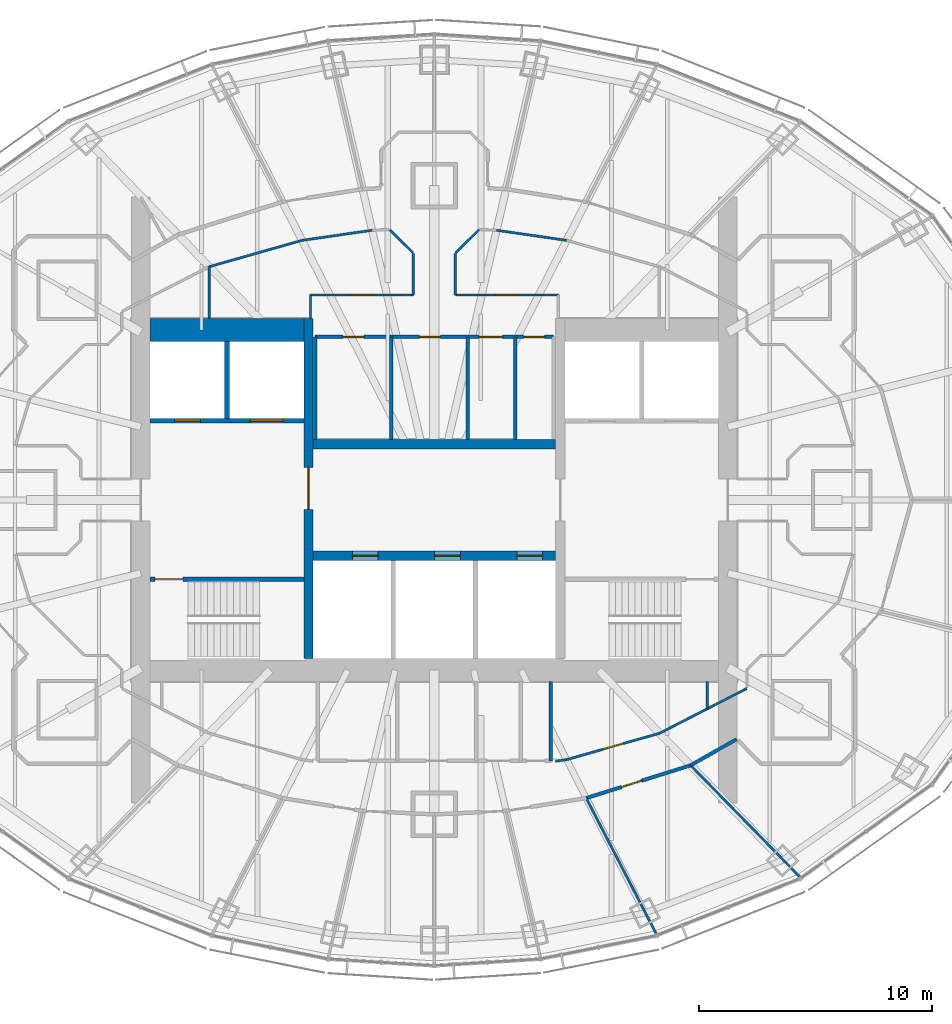
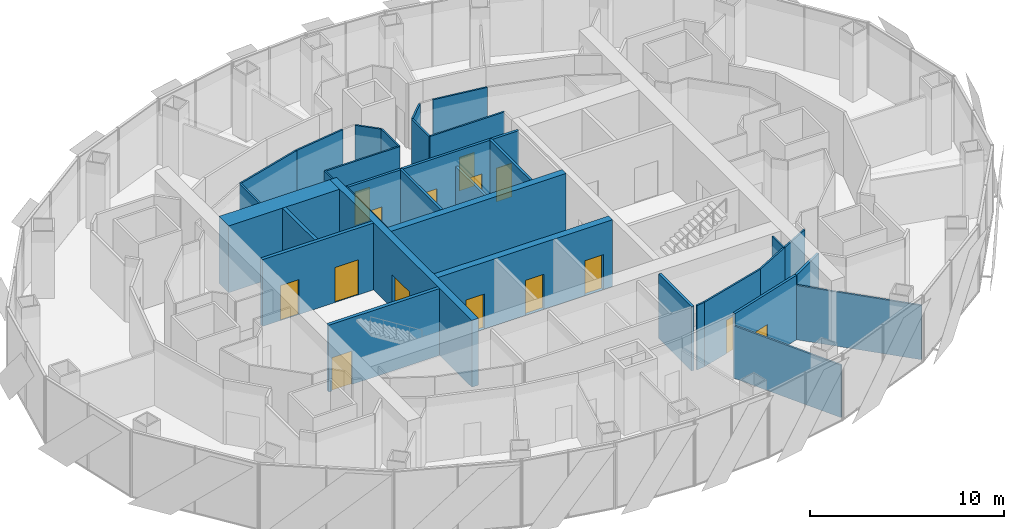
# One storey, part 13 of 18: 33 walls, 15 doors, 15 openings.
"""IFC4 building model written with IfcOpenShell, lengths in metres."""

from ifc_helpers import new_model, si_unit, direction, frame, frame_2d, origin, place, context, subcontext, project, spatial, rectangle, extrude, material, layer, layer_set, type_object, element, fill, save


model = new_model("IFC4")

# Units and contexts
model_context = context("Model", 3, precision=1e-05, world=origin(), true_north=direction((0.0, 1.0)))
body_context = subcontext(model_context, "Body", "Model", "MODEL_VIEW")
ifc_project = project(units=[si_unit("LENGTHUNIT", "METRE"), si_unit("AREAUNIT", "SQUARE_METRE"), si_unit("VOLUMEUNIT", "CUBIC_METRE"), si_unit("PLANEANGLEUNIT", "RADIAN"), si_unit("MASSUNIT", "GRAM", prefix="KILO")], contexts=[model_context])

# Site, building, storey
site_placement = place(None, origin())
site = spatial("IfcSite", under=ifc_project, at=site_placement, CompositionType="ELEMENT")
building_placement = place(site_placement, origin())
building = spatial("IfcBuilding", under=site, at=building_placement, Name="Lantaw Convention Tower", CompositionType="ELEMENT")
storey_placement = place(building_placement, frame((0.0, 0.0, 236.800048828125)))
storey = spatial("IfcBuildingStorey", under=building, at=storey_placement, Name="L55", CompositionType="ELEMENT", Elevation=236.800048828125)

# Wall
ifc_material_1 = material(Name="Concrete C60/75", Category="concrete")
ifc_layer_1 = layer(ifc_material_1, 1.0)
ifc_layer_set_1 = layer_set([ifc_layer_1], Name="Core wall 1000")
wall_type_1 = type_object("IfcWallType", Name="Core wall 1000", PredefinedType="SHEAR", material=ifc_layer_set_1)
wall_1_placement = place(storey_placement, frame((-5.60009765625, 7.300048828125, 0.0), z_axis=(0.0, 0.0, 1.0), x_axis=(-1.0, 0.0, 0.0)))
element("IfcWall", 1, at=wall_1_placement, inside=storey, type_object=wall_type_1, Name="Core wall NW", PredefinedType="SHEAR", context=body_context, shape_type="SweptSolid", body=[
    extrude(rectangle(XDim=6.599853515625, YDim=1.0, at=frame_2d((3.2998046875, 0.0))), origin(), (0.0, 0.0, 1.0), 4.199951171875),
])

# Wall, opening, door
ifc_layer_2 = layer(ifc_material_1, 0.199951171875)
ifc_layer_set_2 = layer_set([ifc_layer_2], Name="Core wall 200")
wall_type_2 = type_object("IfcWallType", Name="Core wall 200", PredefinedType="SHEAR", material=ifc_layer_set_2)
wall_2_placement = place(storey_placement, frame((-5.60009765625, -3.39990234375, 0.0), z_axis=(0.0, 0.0, 1.0), x_axis=(-1.0, 0.0, 0.0)))
wall_2 = element("IfcWall", 2, at=wall_2_placement, inside=storey, type_object=wall_type_2, Name="Core wall WS", PredefinedType="SHEAR", context=body_context, shape_type="SweptSolid", body=[
    extrude(rectangle(XDim=6.599853515625, YDim=0.199951171875, at=frame_2d((3.2998046875, 0.0))), origin(), (0.0, 0.0, 1.0), 4.199951171875),
])
opening_1_placement = place(wall_2_placement, frame((5.199951171875, 0.0, 0.0)))
opening_1 = element("IfcOpeningElement", 3, at=opening_1_placement, cuts=wall_2, Name="Opening L55.04", PredefinedType="OPENING", context=body_context, shape_type="SweptSolid", body=[
    extrude(rectangle(XDim=1.199951171875, YDim=2.10009765625, at=frame_2d((0.60009765625, 1.050048828125))), frame((0.0, 0.10986328125, 0.0), z_axis=(0.0, -1.0, 0.0), x_axis=(1.0, 0.0, 0.0)), (0.0, 0.0, 1.0), 0.219970703125),
])
ifc_material_2 = material(Name="Steel, fire rated", Category="steel")
door_type_1 = type_object("IfcDoorType", Name="Stair door FD90", OperationType="SINGLE_SWING_RIGHT", PredefinedType="DOOR", material=ifc_material_2)
door_1_placement = place(opening_1_placement, origin())
door_1 = element("IfcDoor", 4, at=door_1_placement, inside=storey, type_object=door_type_1, Name="Exit stair door", OperationType="SINGLE_SWING_RIGHT", OverallHeight=2.10009765625, OverallWidth=1.199951171875, PredefinedType="DOOR", context=body_context, shape_type="SweptSolid", body=[
    extrude(rectangle(XDim=1.199951171875, YDim=2.10009765625, at=frame_2d((0.60009765625, 1.050048828125))), frame((0.0, 0.02490234375, 0.0), z_axis=(0.0, -1.0, 0.0), x_axis=(1.0, 0.0, 0.0)), (0.0, 0.0, 1.0), 0.050048828125),
])
fill(opening_1, door_1)

ifc_layer_3 = layer(ifc_material_1, 0.39990234375)
ifc_layer_set_3 = layer_set([ifc_layer_3], Name="Core wall 400")
wall_type_3 = type_object("IfcWallType", Name="Core wall 400", PredefinedType="SHEAR", material=ifc_layer_set_3)
wall_3_placement = place(storey_placement, frame((-5.39990234375, 7.800048828125, 0.0), z_axis=(0.0, 0.0, 1.0), x_axis=(0.0, -1.0, 0.0)))
wall_3 = element("IfcWall", 5, at=wall_3_placement, inside=storey, type_object=wall_type_3, Name="Core wall XW", PredefinedType="SHEAR", context=body_context, shape_type="SweptSolid", body=[
    extrude(rectangle(XDim=14.60009765625, YDim=0.39990234375, at=frame_2d((7.300048828125, 0.0))), origin(), (0.0, 0.0, 1.0), 4.199951171875),
])
opening_2_placement = place(wall_3_placement, frame((6.39990234375, 0.0, 0.0)))
opening_2 = element("IfcOpeningElement", 6, at=opening_2_placement, cuts=wall_3, Name="Opening L55.02", PredefinedType="OPENING", context=body_context, shape_type="SweptSolid", body=[
    extrude(rectangle(XDim=1.800048828125, YDim=2.10009765625, at=frame_2d((0.89990234375, 1.050048828125))), frame((0.0, 0.2099609375, 0.0), z_axis=(0.0, -1.0, 0.0), x_axis=(1.0, 0.0, 0.0)), (0.0, 0.0, 1.0), 0.419921875),
])
door_type_2 = type_object("IfcDoorType", Name="Lobby double door FD90", OperationType="DOUBLE_DOOR_DOUBLE_SWING", PredefinedType="DOOR", material=ifc_material_2)
door_2_placement = place(opening_2_placement, origin())
door_2 = element("IfcDoor", 7, at=door_2_placement, inside=storey, type_object=door_type_2, Name="Lift lobby door", OperationType="DOUBLE_DOOR_DOUBLE_SWING", OverallHeight=2.10009765625, OverallWidth=1.800048828125, PredefinedType="DOOR", context=body_context, shape_type="SweptSolid", body=[
    extrude(rectangle(XDim=1.800048828125, YDim=2.10009765625, at=frame_2d((0.89990234375, 1.050048828125))), frame((0.0, 0.02490234375, 0.0), z_axis=(0.0, -1.0, 0.0), x_axis=(1.0, 0.0, 0.0)), (0.0, 0.0, 1.0), 0.050048828125),
])
fill(opening_2, door_2)

# Wall, openings, doors
wall_4_placement = place(storey_placement, frame((-5.199951171875, -2.39990234375, 0.0), z_axis=(0.0, 0.0, 1.0), x_axis=(1.0, 0.0, 0.0)))
wall_4 = element("IfcWall", 8, at=wall_4_placement, inside=storey, type_object=wall_type_3, Name="Core wall BS", PredefinedType="SHEAR", context=body_context, shape_type="SweptSolid", body=[
    extrude(rectangle(XDim=10.39990234375, YDim=0.39990234375, at=frame_2d((5.199951171875, 0.0))), origin(), (0.0, 0.0, 1.0), 4.199951171875),
])
opening_3_placement = place(wall_4_placement, frame((1.683349609375, 0.0, 0.0)))
opening_3 = element("IfcOpeningElement", 9, at=opening_3_placement, cuts=wall_4, Name="Opening L55.07", PredefinedType="OPENING", context=body_context, shape_type="SweptSolid", body=[
    extrude(rectangle(XDim=1.10009765625, YDim=2.199951171875, at=frame_2d((0.550048828125, 1.10009765625))), frame((0.0, 0.2099609375, 0.0), z_axis=(0.0, -1.0, 0.0), x_axis=(1.0, 0.0, 0.0)), (0.0, 0.0, 1.0), 0.419921875),
])
opening_4_placement = place(wall_4_placement, frame((5.216796875, 0.0, 0.0)))
opening_4 = element("IfcOpeningElement", 10, at=opening_4_placement, cuts=wall_4, Name="Opening L55.08", PredefinedType="OPENING", context=body_context, shape_type="SweptSolid", body=[
    extrude(rectangle(XDim=1.10009765625, YDim=2.199951171875, at=frame_2d((0.550048828125, 1.10009765625))), frame((0.0, 0.2099609375, 0.0), z_axis=(0.0, -1.0, 0.0), x_axis=(1.0, 0.0, 0.0)), (0.0, 0.0, 1.0), 0.419921875),
])
opening_5_placement = place(wall_4_placement, frame((8.75, 0.0, 0.0)))
opening_5 = element("IfcOpeningElement", 11, at=opening_5_placement, cuts=wall_4, Name="Opening L55.09", PredefinedType="OPENING", context=body_context, shape_type="SweptSolid", body=[
    extrude(rectangle(XDim=1.10009765625, YDim=2.199951171875, at=frame_2d((0.550048828125, 1.10009765625))), frame((0.0, 0.2099609375, 0.0), z_axis=(0.0, -1.0, 0.0), x_axis=(1.0, 0.0, 0.0)), (0.0, 0.0, 1.0), 0.419921875),
])
ifc_material_3 = material(Name="Stainless steel", Category="steel")
door_type_3 = type_object("IfcDoorType", Name="Lift landing door 1100", OperationType="DOUBLE_DOOR_SLIDING", PredefinedType="DOOR", material=ifc_material_3)
door_3_placement = place(opening_3_placement, origin())
door_3 = element("IfcDoor", 12, at=door_3_placement, inside=storey, type_object=door_type_3, Name="Lift landing door S1", OperationType="DOUBLE_DOOR_SLIDING", OverallHeight=2.199951171875, OverallWidth=1.10009765625, PredefinedType="DOOR", context=body_context, shape_type="SweptSolid", body=[
    extrude(rectangle(XDim=1.10009765625, YDim=2.199951171875, at=frame_2d((0.550048828125, 1.10009765625))), frame((0.0, 0.02490234375, 0.0), z_axis=(0.0, -1.0, 0.0), x_axis=(1.0, 0.0, 0.0)), (0.0, 0.0, 1.0), 0.050048828125),
])
fill(opening_3, door_3)
door_4_placement = place(opening_4_placement, origin())
door_4 = element("IfcDoor", 13, at=door_4_placement, inside=storey, type_object=door_type_3, Name="Lift landing door S2", OperationType="DOUBLE_DOOR_SLIDING", OverallHeight=2.199951171875, OverallWidth=1.10009765625, PredefinedType="DOOR", context=body_context, shape_type="SweptSolid", body=[
    extrude(rectangle(XDim=1.10009765625, YDim=2.199951171875, at=frame_2d((0.550048828125, 1.10009765625))), frame((0.0, 0.02490234375, 0.0), z_axis=(0.0, -1.0, 0.0), x_axis=(1.0, 0.0, 0.0)), (0.0, 0.0, 1.0), 0.050048828125),
])
fill(opening_4, door_4)
door_5_placement = place(opening_5_placement, origin())
door_5 = element("IfcDoor", 14, at=door_5_placement, inside=storey, type_object=door_type_3, Name="Lift landing door S3", OperationType="DOUBLE_DOOR_SLIDING", OverallHeight=2.199951171875, OverallWidth=1.10009765625, PredefinedType="DOOR", context=body_context, shape_type="SweptSolid", body=[
    extrude(rectangle(XDim=1.10009765625, YDim=2.199951171875, at=frame_2d((0.550048828125, 1.10009765625))), frame((0.0, 0.02490234375, 0.0), z_axis=(0.0, -1.0, 0.0), x_axis=(1.0, 0.0, 0.0)), (0.0, 0.0, 1.0), 0.050048828125),
])
fill(opening_5, door_5)

# Wall
wall_5_placement = place(storey_placement, frame((5.199951171875, 2.39990234375, 0.0), z_axis=(0.0, 0.0, 1.0), x_axis=(-1.0, 0.0, 0.0)))
element("IfcWall", 15, at=wall_5_placement, inside=storey, type_object=wall_type_3, Name="Core wall BN", PredefinedType="SHEAR", context=body_context, shape_type="SweptSolid", body=[
    extrude(rectangle(XDim=10.39990234375, YDim=0.39990234375, at=frame_2d((5.199951171875, 0.0))), origin(), (0.0, 0.0, 1.0), 4.199951171875),
])

# Wall, opening, door
ifc_material_4 = material(Name="Gypsum board on steel studs, fire rated", Category="steel")
ifc_layer_4 = layer(ifc_material_4, 0.14990234375)
ifc_layer_set_4 = layer_set([ifc_layer_4], Name="Corridor wall 150 EI 60")
wall_type_4 = type_object("IfcWallType", Name="Corridor wall 150 EI 60", PredefinedType="PARTITIONING", material=ifc_layer_set_4)
wall_6_placement = place(storey_placement, frame((6.521240234375, -12.798828125, 0.0), z_axis=(0.0, 0.0, 1.0), x_axis=(0.954031103669, 0.299707612903, 0.0)))
wall_6 = element("IfcWall", 16, at=wall_6_placement, inside=storey, type_object=wall_type_4, Name="Corridor wall 150", PredefinedType="PARTITIONING", context=body_context, shape_type="SweptSolid", body=[
    extrude(rectangle(XDim=4.6953125, YDim=0.14990234375, at=frame_2d((2.34765625, 0.0))), origin(), (0.0, 0.0, 1.0), 4.050048828125),
])
opening_6_placement = place(wall_6_placement, frame((1.589111328125, 0.0, 0.0)))
opening_6 = element("IfcOpeningElement", 17, at=opening_6_placement, cuts=wall_6, Name="Opening L55.44", PredefinedType="OPENING", context=body_context, shape_type="SweptSolid", body=[
    extrude(rectangle(XDim=0.89990234375, YDim=2.10009765625, at=frame_2d((0.449951171875, 1.050048828125))), frame((0.0, 0.0849609375, 0.0), z_axis=(0.0, -1.0, 0.0), x_axis=(1.0, 0.0, 0.0)), (0.0, 0.0, 1.0), 0.169921875),
])
door_type_4 = type_object("IfcDoorType", Name="Office door 900 FD30", OperationType="SINGLE_SWING_LEFT", PredefinedType="DOOR", material=ifc_material_2)
door_6_placement = place(opening_6_placement, origin())
door_6 = element("IfcDoor", 18, at=door_6_placement, inside=storey, type_object=door_type_4, Name="Private office door", OperationType="SINGLE_SWING_LEFT", OverallHeight=2.10009765625, OverallWidth=0.89990234375, PredefinedType="DOOR", context=body_context, shape_type="SweptSolid", body=[
    extrude(rectangle(XDim=0.89990234375, YDim=2.10009765625, at=frame_2d((0.449951171875, 1.050048828125))), frame((0.0, 0.02490234375, 0.0), z_axis=(0.0, -1.0, 0.0), x_axis=(1.0, 0.0, 0.0)), (0.0, 0.0, 1.0), 0.050048828125),
])
fill(opening_6, door_6)

# Walls
wall_7_placement = place(storey_placement, frame((11.000732421875, -11.3916015625, 0.0), z_axis=(0.0, 0.0, 1.0), x_axis=(0.869722107117, 0.493541747366, 0.0)))
element("IfcWall", 19, at=wall_7_placement, inside=storey, type_object=wall_type_4, Name="Corridor wall 150", PredefinedType="PARTITIONING", context=body_context, shape_type="SweptSolid", body=[
    extrude(rectangle(XDim=2.26953125, YDim=0.14990234375, at=frame_2d((1.134765625, 0.0))), origin(), (0.0, 0.0, 1.0), 4.050048828125),
])
ifc_material_5 = material(Name="Gypsum board on steel studs, acoustic", Category="steel")
ifc_layer_5 = layer(ifc_material_5, 0.10009765625)
ifc_layer_set_5 = layer_set([ifc_layer_5], Name="Office partition 100")
wall_type_5 = type_object("IfcWallType", Name="Office partition 100", PredefinedType="PARTITIONING", material=ifc_layer_set_5)
wall_8_placement = place(storey_placement, frame((9.53955078125, -18.650390625, 0.0), z_axis=(0.0, 0.0, 1.0), x_axis=(-0.458420942987, 0.888735190611, 0.0)))
element("IfcWall", 20, at=wall_8_placement, inside=storey, type_object=wall_type_5, Name="Office partition 100", PredefinedType="PARTITIONING", context=body_context, shape_type="SweptSolid", body=[
    extrude(rectangle(XDim=6.584228515625, YDim=0.10009765625, at=frame_2d((3.2919921875, 0.0))), origin(), (0.0, 0.0, 1.0), 3.29296875),
])
wall_9_placement = place(storey_placement, frame((15.70947265625, -16.19873046875, 0.0), z_axis=(0.0, 0.0, 1.0), x_axis=(-0.699758297028, 0.71437967898, 0.0)))
element("IfcWall", 21, at=wall_9_placement, inside=storey, type_object=wall_type_5, Name="Office partition 100", PredefinedType="PARTITIONING", context=body_context, shape_type="SweptSolid", body=[
    extrude(rectangle(XDim=6.72900390625, YDim=0.10009765625, at=frame_2d((3.364501953125, 0.0))), origin(), (0.0, 0.0, 1.0), 3.409912109375),
])
wall_10_placement = place(storey_placement, frame((11.7099609375, -7.800048828125, 0.0), z_axis=(0.0, 0.0, 1.0), x_axis=(0.0, -1.0, 0.0)))
element("IfcWall", 22, at=wall_10_placement, inside=storey, type_object=wall_type_5, Name="Office partition 100", PredefinedType="PARTITIONING", context=body_context, shape_type="SweptSolid", body=[
    extrude(rectangle(XDim=1.1669921875, YDim=0.10009765625, at=frame_2d((0.58349609375, 0.0))), origin(), (0.0, 0.0, 1.0), 4.050048828125),
])
wall_11_placement = place(storey_placement, frame((11.7099609375, -8.967041015625, 0.0), z_axis=(0.0, 0.0, 1.0), x_axis=(-0.889605609385, -0.456729525814, 0.0)))
element("IfcWall", 23, at=wall_11_placement, inside=storey, type_object=wall_type_5, Name="Office partition 100", PredefinedType="PARTITIONING", context=body_context, shape_type="SweptSolid", body=[
    extrude(rectangle(XDim=2.292724609375, YDim=0.10009765625, at=frame_2d((1.146484375, 0.0))), origin(), (0.0, 0.0, 1.0), 4.050048828125),
])

# Wall, opening, door
wall_12_placement = place(storey_placement, frame((9.67041015625, -10.01416015625, 0.0), z_axis=(0.0, 0.0, 1.0), x_axis=(-0.961973498971, -0.273142796496, 0.0)))
wall_12 = element("IfcWall", 24, at=wall_12_placement, inside=storey, type_object=wall_type_5, Name="Office partition 100", PredefinedType="PARTITIONING", context=body_context, shape_type="SweptSolid", body=[
    extrude(rectangle(XDim=4.148193359375, YDim=0.10009765625, at=frame_2d((2.07421875, 0.0))), origin(), (0.0, 0.0, 1.0), 4.050048828125),
])
opening_7_placement = place(wall_12_placement, frame((1.624267578125, 0.0, 0.0)))
opening_7 = element("IfcOpeningElement", 25, at=opening_7_placement, cuts=wall_12, Name="Opening L55.24", PredefinedType="OPENING", context=body_context, shape_type="SweptSolid", body=[
    extrude(rectangle(XDim=0.89990234375, YDim=2.10009765625, at=frame_2d((0.449951171875, 1.050048828125))), frame((0.0, 0.06005859375, 0.0), z_axis=(0.0, -1.0, 0.0), x_axis=(1.0, 0.0, 0.0)), (0.0, 0.0, 1.0), 0.1201171875),
])
ifc_material_6 = material(Name="Timber", Category="wood")
door_type_5 = type_object("IfcDoorType", Name="Office door 900", OperationType="SINGLE_SWING_LEFT", PredefinedType="DOOR", material=ifc_material_6)
door_7_placement = place(opening_7_placement, origin())
door_7 = element("IfcDoor", 26, at=door_7_placement, inside=storey, type_object=door_type_5, Name="Tenant storage room door", OperationType="SINGLE_SWING_LEFT", OverallHeight=2.10009765625, OverallWidth=0.89990234375, PredefinedType="DOOR", context=body_context, shape_type="SweptSolid", body=[
    extrude(rectangle(XDim=0.89990234375, YDim=2.10009765625, at=frame_2d((0.449951171875, 1.050048828125))), frame((0.0, 0.02490234375, 0.0), z_axis=(0.0, -1.0, 0.0), x_axis=(1.0, 0.0, 0.0)), (0.0, 0.0, 1.0), 0.050048828125),
])
fill(opening_7, door_7)

# Wall
wall_13_placement = place(storey_placement, frame((5.679931640625, -11.147216796875, 0.0), z_axis=(0.0, 0.0, 1.0), x_axis=(-0.989797891768, -0.142478536811, 0.0)))
element("IfcWall", 27, at=wall_13_placement, inside=storey, type_object=wall_type_5, Name="Office partition 100", PredefinedType="PARTITIONING", context=body_context, shape_type="SweptSolid", body=[
    extrude(rectangle(XDim=0.48486328125, YDim=0.10009765625, at=frame_2d((0.242431640625, 0.0))), origin(), (0.0, 0.0, 1.0), 4.050048828125),
])

# Wall, opening, door
wall_14_placement = place(storey_placement, frame((5.320068359375, 8.800048828125, 0.0), z_axis=(0.0, 0.0, 1.0), x_axis=(-1.0, 0.0, 0.0)))
wall_14 = element("IfcWall", 28, at=wall_14_placement, inside=storey, type_object=wall_type_5, Name="Office partition 100", PredefinedType="PARTITIONING", context=body_context, shape_type="SweptSolid", body=[
    extrude(rectangle(XDim=4.420166015625, YDim=0.10009765625, at=frame_2d((2.2099609375, 0.0))), origin(), (0.0, 0.0, 1.0), 4.050048828125),
])
opening_8_placement = place(wall_14_placement, frame((1.760009765625, 0.0, 0.0)))
opening_8 = element("IfcOpeningElement", 29, at=opening_8_placement, cuts=wall_14, Name="Opening L55.26", PredefinedType="OPENING", context=body_context, shape_type="SweptSolid", body=[
    extrude(rectangle(XDim=0.89990234375, YDim=2.10009765625, at=frame_2d((0.449951171875, 1.050048828125))), frame((0.0, 0.06005859375, 0.0), z_axis=(0.0, -1.0, 0.0), x_axis=(1.0, 0.0, 0.0)), (0.0, 0.0, 1.0), 0.1201171875),
])
door_8_placement = place(opening_8_placement, origin())
door_8 = element("IfcDoor", 30, at=door_8_placement, inside=storey, type_object=door_type_5, Name="Copy and print room door", OperationType="SINGLE_SWING_LEFT", OverallHeight=2.10009765625, OverallWidth=0.89990234375, PredefinedType="DOOR", context=body_context, shape_type="SweptSolid", body=[
    extrude(rectangle(XDim=0.89990234375, YDim=2.10009765625, at=frame_2d((0.449951171875, 1.050048828125))), frame((0.0, 0.02490234375, 0.0), z_axis=(0.0, -1.0, 0.0), x_axis=(1.0, 0.0, 0.0)), (0.0, 0.0, 1.0), 0.050048828125),
])
fill(opening_8, door_8)

# Walls
wall_15_placement = place(storey_placement, frame((2.67333984375, 11.579833984375, 0.0), z_axis=(0.0, 0.0, 1.0), x_axis=(0.989805921373, -0.142422744025, 0.0)))
element("IfcWall", 31, at=wall_15_placement, inside=storey, type_object=wall_type_5, Name="Office partition 100", PredefinedType="PARTITIONING", context=body_context, shape_type="SweptSolid", body=[
    extrude(rectangle(XDim=3.03759765625, YDim=0.10009765625, at=frame_2d((1.518798828125, 0.0))), origin(), (0.0, 0.0, 1.0), 4.050048828125),
])
wall_16_placement = place(storey_placement, frame((-9.659912109375, 10.01708984375, 0.0), z_axis=(0.0, 0.0, 1.0), x_axis=(0.0, -1.0, 0.0)))
element("IfcWall", 32, at=wall_16_placement, inside=storey, type_object=wall_type_5, Name="Office partition 100", PredefinedType="PARTITIONING", context=body_context, shape_type="SweptSolid", body=[
    extrude(rectangle(XDim=2.217041015625, YDim=0.10009765625, at=frame_2d((1.1083984375, 0.0))), origin(), (0.0, 0.0, 1.0), 4.050048828125),
])
wall_17_placement = place(storey_placement, frame((-5.679931640625, 11.147216796875, 0.0), z_axis=(0.0, 0.0, 1.0), x_axis=(0.989805921373, 0.142422744025, 0.0)))
element("IfcWall", 33, at=wall_17_placement, inside=storey, type_object=wall_type_5, Name="Office partition 100", PredefinedType="PARTITIONING", context=body_context, shape_type="SweptSolid", body=[
    extrude(rectangle(XDim=3.03759765625, YDim=0.10009765625, at=frame_2d((1.518798828125, 0.0))), origin(), (0.0, 0.0, 1.0), 4.050048828125),
])

# Wall, opening, door
wall_18_placement = place(storey_placement, frame((-0.89990234375, 8.800048828125, 0.0), z_axis=(0.0, 0.0, 1.0), x_axis=(-1.0, 0.0, 0.0)))
wall_18 = element("IfcWall", 34, at=wall_18_placement, inside=storey, type_object=wall_type_5, Name="Office partition 100", PredefinedType="PARTITIONING", context=body_context, shape_type="SweptSolid", body=[
    extrude(rectangle(XDim=4.420166015625, YDim=0.10009765625, at=frame_2d((2.2099609375, 0.0))), origin(), (0.0, 0.0, 1.0), 4.050048828125),
])
opening_9_placement = place(wall_18_placement, frame((1.760009765625, 0.0, 0.0)))
opening_9 = element("IfcOpeningElement", 35, at=opening_9_placement, cuts=wall_18, Name="Opening L55.29", PredefinedType="OPENING", context=body_context, shape_type="SweptSolid", body=[
    extrude(rectangle(XDim=0.89990234375, YDim=2.10009765625, at=frame_2d((0.449951171875, 1.050048828125))), frame((0.0, 0.06005859375, 0.0), z_axis=(0.0, -1.0, 0.0), x_axis=(1.0, 0.0, 0.0)), (0.0, 0.0, 1.0), 0.1201171875),
])
door_9_placement = place(opening_9_placement, origin())
door_9 = element("IfcDoor", 36, at=door_9_placement, inside=storey, type_object=door_type_5, Name="Comms room door", OperationType="SINGLE_SWING_LEFT", OverallHeight=2.10009765625, OverallWidth=0.89990234375, PredefinedType="DOOR", context=body_context, shape_type="SweptSolid", body=[
    extrude(rectangle(XDim=0.89990234375, YDim=2.10009765625, at=frame_2d((0.449951171875, 1.050048828125))), frame((0.0, 0.02490234375, 0.0), z_axis=(0.0, -1.0, 0.0), x_axis=(1.0, 0.0, 0.0)), (0.0, 0.0, 1.0), 0.050048828125),
])
fill(opening_9, door_9)

# Walls
wall_19_placement = place(storey_placement, frame((-5.320068359375, 8.800048828125, 0.0), z_axis=(0.0, 0.0, 1.0), x_axis=(0.0, -1.0, 0.0)))
element("IfcWall", 37, at=wall_19_placement, inside=storey, type_object=wall_type_5, Name="Office partition 100", PredefinedType="PARTITIONING", context=body_context, shape_type="SweptSolid", body=[
    extrude(rectangle(XDim=1.0, YDim=0.10009765625, at=frame_2d((0.5, 0.0))), origin(), (0.0, 0.0, 1.0), 4.050048828125),
])
wall_20_placement = place(storey_placement, frame((-9.659912109375, 10.01708984375, 0.0), z_axis=(0.0, 0.0, 1.0), x_axis=(0.961970251804, 0.27315423234, 0.0)))
element("IfcWall", 38, at=wall_20_placement, inside=storey, type_object=wall_type_5, Name="Office partition 100", PredefinedType="PARTITIONING", context=body_context, shape_type="SweptSolid", body=[
    extrude(rectangle(XDim=4.13720703125, YDim=0.10009765625, at=frame_2d((2.068603515625, 0.0))), origin(), (0.0, 0.0, 1.0), 4.050048828125),
])
for number, where, z_axis, x_axis, name in (
    (39, (0.89990234375, 8.800048828125, 0.0), (0.0, 0.0, 1.0), (0.0, 1.0, 0.0), "Office partition 100"),
    (40, (-0.89990234375, 10.58544921875, 0.0), (0.0, 0.0, 1.0), (0.0, -1.0, 0.0), "Office partition 100"),
):
    element("IfcWall", number, at=place(storey_placement, frame(where, z_axis=z_axis, x_axis=x_axis)), inside=storey, type_object=wall_type_5, Name=name, PredefinedType="PARTITIONING", context=body_context, shape_type="SweptSolid", body=[
        extrude(rectangle(XDim=1.785400390625, YDim=0.10009765625, at=frame_2d((0.892578125, 0.0))), origin(), (0.0, 0.0, 1.0), 4.050048828125),
    ])
for number, where, z_axis, x_axis, name in (
    (41, (1.913330078125, 11.595947265625, 0.0), (0.0, 0.0, 1.0), (-0.71318945388, -0.70097132814, 0.0), "Office partition 100"),
    (42, (-0.915771484375, 10.615478515625, 0.0), (0.0, 0.0, 1.0), (-0.71318945388, 0.70097132814, 0.0), "Office partition 100"),
):
    element("IfcWall", number, at=place(storey_placement, frame(where, z_axis=z_axis, x_axis=x_axis)), inside=storey, type_object=wall_type_5, Name=name, PredefinedType="PARTITIONING", context=body_context, shape_type="SweptSolid", body=[
        extrude(rectangle(XDim=1.398681640625, YDim=0.10009765625, at=frame_2d((0.69921875, 0.0))), origin(), (0.0, 0.0, 1.0), 4.050048828125),
    ])
wall_21_placement = place(storey_placement, frame((13.4150390625, -8.091796875, 0.0), z_axis=(0.0, 0.0, 1.0), x_axis=(-0.889638356137, -0.456665736935, 0.0)))
element("IfcWall", 43, at=wall_21_placement, inside=storey, type_object=wall_type_5, Name="Office partition 100", PredefinedType="PARTITIONING", context=body_context, shape_type="SweptSolid", body=[
    extrude(rectangle(XDim=1.91650390625, YDim=0.10009765625, at=frame_2d((0.958251953125, 0.0))), origin(), (0.0, 0.0, 1.0), 4.050048828125),
])

# Wall, openings, doors
ifc_material_7 = material(Name="Concrete blockwork, fire rated", Category="masonry")
ifc_layer_6 = layer(ifc_material_7, 0.199951171875)
ifc_layer_set_6 = layer_set([ifc_layer_6], Name="Shaft wall 200")
wall_type_6 = type_object("IfcWallType", Name="Shaft wall 200", PredefinedType="SOLIDWALL", material=ifc_layer_set_6)
wall_22_placement = place(storey_placement, frame((-12.199951171875, 3.39990234375, 0.0), z_axis=(0.0, 0.0, 1.0), x_axis=(1.0, 0.0, 0.0)))
wall_22 = element("IfcWall", 44, at=wall_22_placement, inside=storey, type_object=wall_type_6, Name="Shaft wall WN", PredefinedType="SOLIDWALL", context=body_context, shape_type="SweptSolid", body=[
    extrude(rectangle(XDim=6.599853515625, YDim=0.199951171875, at=frame_2d((3.2998046875, 0.0))), origin(), (0.0, 0.0, 1.0), 4.199951171875),
])
opening_10_placement = place(wall_22_placement, frame((1.050048828125, 0.0, 0.0)))
opening_10 = element("IfcOpeningElement", 45, at=opening_10_placement, cuts=wall_22, Name="Opening L55.10", PredefinedType="OPENING", context=body_context, shape_type="SweptSolid", body=[
    extrude(rectangle(XDim=1.10009765625, YDim=2.199951171875, at=frame_2d((0.550048828125, 1.10009765625))), frame((0.0, 0.10986328125, 0.0), z_axis=(0.0, -1.0, 0.0), x_axis=(1.0, 0.0, 0.0)), (0.0, 0.0, 1.0), 0.219970703125),
])
opening_11_placement = place(wall_22_placement, frame((4.300048828125, 0.0, 0.0)))
opening_11 = element("IfcOpeningElement", 46, at=opening_11_placement, cuts=wall_22, Name="Opening L55.11", PredefinedType="OPENING", context=body_context, shape_type="SweptSolid", body=[
    extrude(rectangle(XDim=1.39990234375, YDim=2.199951171875, at=frame_2d((0.699951171875, 1.10009765625))), frame((0.0, 0.10986328125, 0.0), z_axis=(0.0, -1.0, 0.0), x_axis=(1.0, 0.0, 0.0)), (0.0, 0.0, 1.0), 0.219970703125),
])
door_10_placement = place(opening_10_placement, origin())
door_10 = element("IfcDoor", 47, at=door_10_placement, inside=storey, type_object=door_type_3, Name="Lift landing door FF1", OperationType="DOUBLE_DOOR_SLIDING", OverallHeight=2.199951171875, OverallWidth=1.10009765625, PredefinedType="DOOR", context=body_context, shape_type="SweptSolid", body=[
    extrude(rectangle(XDim=1.10009765625, YDim=2.199951171875, at=frame_2d((0.550048828125, 1.10009765625))), frame((0.0, 0.02490234375, 0.0), z_axis=(0.0, -1.0, 0.0), x_axis=(1.0, 0.0, 0.0)), (0.0, 0.0, 1.0), 0.050048828125),
])
fill(opening_10, door_10)
door_type_6 = type_object("IfcDoorType", Name="Lift landing door 1400", OperationType="DOUBLE_DOOR_SLIDING", PredefinedType="DOOR", material=ifc_material_3)
door_11_placement = place(opening_11_placement, origin())
door_11 = element("IfcDoor", 48, at=door_11_placement, inside=storey, type_object=door_type_6, Name="Lift landing door SV1", OperationType="DOUBLE_DOOR_SLIDING", OverallHeight=2.199951171875, OverallWidth=1.39990234375, PredefinedType="DOOR", context=body_context, shape_type="SweptSolid", body=[
    extrude(rectangle(XDim=1.39990234375, YDim=2.199951171875, at=frame_2d((0.699951171875, 1.10009765625))), frame((0.0, 0.02490234375, 0.0), z_axis=(0.0, -1.0, 0.0), x_axis=(1.0, 0.0, 0.0)), (0.0, 0.0, 1.0), 0.050048828125),
])
fill(opening_11, door_11)

# Wall
wall_23_placement = place(storey_placement, frame((-8.89990234375, 3.5, 0.0), z_axis=(0.0, 0.0, 1.0), x_axis=(0.0, 1.0, 0.0)))
element("IfcWall", 49, at=wall_23_placement, inside=storey, type_object=wall_type_6, Name="Shaft wall WD", PredefinedType="SOLIDWALL", context=body_context, shape_type="SweptSolid", body=[
    extrude(rectangle(XDim=3.300048828125, YDim=0.199951171875, at=frame_2d((1.64990234375, 0.0))), origin(), (0.0, 0.0, 1.0), 4.199951171875),
])

# Wall, openings, doors
ifc_material_8 = material(Name="Concrete blockwork", Category="masonry")
ifc_layer_7 = layer(ifc_material_8, 0.14990234375)
ifc_layer_set_7 = layer_set([ifc_layer_7], Name="WC wall 150")
wall_type_7 = type_object("IfcWallType", Name="WC wall 150", PredefinedType="SOLIDWALL", material=ifc_layer_set_7)
wall_24_placement = place(storey_placement, frame((-5.1201171875, 7.0, 0.0), z_axis=(0.0, 0.0, 1.0), x_axis=(1.0, 0.0, 0.0)))
wall_24 = element("IfcWall", 50, at=wall_24_placement, inside=storey, type_object=wall_type_7, Name="WC wall 150", PredefinedType="SOLIDWALL", context=body_context, shape_type="SweptSolid", body=[
    extrude(rectangle(XDim=10.240234375, YDim=0.14990234375, at=frame_2d((5.1201171875, 0.0))), origin(), (0.0, 0.0, 1.0), 4.050048828125),
])
opening_12_placement = place(wall_24_placement, frame((1.199951171875, 0.0, 0.0)))
opening_12 = element("IfcOpeningElement", 51, at=opening_12_placement, cuts=wall_24, Name="Opening L55.14", PredefinedType="OPENING", context=body_context, shape_type="SweptSolid", body=[
    extrude(rectangle(XDim=0.89990234375, YDim=2.10009765625, at=frame_2d((0.449951171875, 1.050048828125))), frame((0.0, 0.0849609375, 0.0), z_axis=(0.0, -1.0, 0.0), x_axis=(1.0, 0.0, 0.0)), (0.0, 0.0, 1.0), 0.169921875),
])
opening_13_placement = place(wall_24_placement, frame((4.476806640625, 0.0, 0.0)))
opening_13 = element("IfcOpeningElement", 52, at=opening_13_placement, cuts=wall_24, Name="Opening L55.15", PredefinedType="OPENING", context=body_context, shape_type="SweptSolid", body=[
    extrude(rectangle(XDim=0.89990234375, YDim=2.10009765625, at=frame_2d((0.449951171875, 1.050048828125))), frame((0.0, 0.0849609375, 0.0), z_axis=(0.0, -1.0, 0.0), x_axis=(1.0, 0.0, 0.0)), (0.0, 0.0, 1.0), 0.169921875),
])
opening_14_placement = place(wall_24_placement, frame((7.0537109375, 0.0, 0.0)))
opening_14 = element("IfcOpeningElement", 53, at=opening_14_placement, cuts=wall_24, Name="Opening L55.16", PredefinedType="OPENING", context=body_context, shape_type="SweptSolid", body=[
    extrude(rectangle(XDim=1.0, YDim=2.10009765625, at=frame_2d((0.5, 1.050048828125))), frame((0.0, 0.0849609375, 0.0), z_axis=(0.0, -1.0, 0.0), x_axis=(1.0, 0.0, 0.0)), (0.0, 0.0, 1.0), 0.169921875),
])
opening_15_placement = place(wall_24_placement, frame((8.95166015625, 0.0, 0.0)))
opening_15 = element("IfcOpeningElement", 54, at=opening_15_placement, cuts=wall_24, Name="Opening L55.17", PredefinedType="OPENING", context=body_context, shape_type="SweptSolid", body=[
    extrude(rectangle(XDim=0.89990234375, YDim=2.10009765625, at=frame_2d((0.449951171875, 1.050048828125))), frame((0.0, 0.0849609375, 0.0), z_axis=(0.0, -1.0, 0.0), x_axis=(1.0, 0.0, 0.0)), (0.0, 0.0, 1.0), 0.169921875),
])
door_type_7 = type_object("IfcDoorType", Name="Accessible WC door 1000", OperationType="SINGLE_SWING_LEFT", PredefinedType="DOOR", material=ifc_material_6)
door_12_placement = place(opening_14_placement, origin())
door_12 = element("IfcDoor", 55, at=door_12_placement, inside=storey, type_object=door_type_7, Name="Accessible WC door", OperationType="SINGLE_SWING_LEFT", OverallHeight=2.10009765625, OverallWidth=1.0, PredefinedType="DOOR", context=body_context, shape_type="SweptSolid", body=[
    extrude(rectangle(XDim=1.0, YDim=2.10009765625, at=frame_2d((0.5, 1.050048828125))), frame((0.0, 0.02490234375, 0.0), z_axis=(0.0, -1.0, 0.0), x_axis=(1.0, 0.0, 0.0)), (0.0, 0.0, 1.0), 0.050048828125),
])
fill(opening_14, door_12)
door_type_8 = type_object("IfcDoorType", Name="WC door 900", OperationType="SINGLE_SWING_LEFT", PredefinedType="DOOR", material=ifc_material_6)
door_13_placement = place(opening_12_placement, origin())
door_13 = element("IfcDoor", 56, at=door_13_placement, inside=storey, type_object=door_type_8, Name="Female WC door", OperationType="SINGLE_SWING_LEFT", OverallHeight=2.10009765625, OverallWidth=0.89990234375, PredefinedType="DOOR", context=body_context, shape_type="SweptSolid", body=[
    extrude(rectangle(XDim=0.89990234375, YDim=2.10009765625, at=frame_2d((0.449951171875, 1.050048828125))), frame((0.0, 0.02490234375, 0.0), z_axis=(0.0, -1.0, 0.0), x_axis=(1.0, 0.0, 0.0)), (0.0, 0.0, 1.0), 0.050048828125),
])
fill(opening_12, door_13)
door_14_placement = place(opening_13_placement, origin())
door_14 = element("IfcDoor", 57, at=door_14_placement, inside=storey, type_object=door_type_8, Name="Male WC door", OperationType="SINGLE_SWING_LEFT", OverallHeight=2.10009765625, OverallWidth=0.89990234375, PredefinedType="DOOR", context=body_context, shape_type="SweptSolid", body=[
    extrude(rectangle(XDim=0.89990234375, YDim=2.10009765625, at=frame_2d((0.449951171875, 1.050048828125))), frame((0.0, 0.02490234375, 0.0), z_axis=(0.0, -1.0, 0.0), x_axis=(1.0, 0.0, 0.0)), (0.0, 0.0, 1.0), 0.050048828125),
])
fill(opening_13, door_14)
door_15_placement = place(opening_15_placement, origin())
door_15 = element("IfcDoor", 58, at=door_15_placement, inside=storey, type_object=door_type_8, Name="Cleaner's store door", OperationType="SINGLE_SWING_LEFT", OverallHeight=2.10009765625, OverallWidth=0.89990234375, PredefinedType="DOOR", context=body_context, shape_type="SweptSolid", body=[
    extrude(rectangle(XDim=0.89990234375, YDim=2.10009765625, at=frame_2d((0.449951171875, 1.050048828125))), frame((0.0, 0.02490234375, 0.0), z_axis=(0.0, -1.0, 0.0), x_axis=(1.0, 0.0, 0.0)), (0.0, 0.0, 1.0), 0.050048828125),
])
fill(opening_15, door_15)

# Walls
for number, where, z_axis, x_axis, name in (
    (59, (-5.1201171875, 2.60009765625, 0.0), (0.0, 0.0, 1.0), (0.0, 1.0, 0.0), "WC wall 150"),
    (60, (-1.84326171875, 2.60009765625, 0.0), (0.0, 0.0, 1.0), (0.0, 1.0, 0.0), "WC wall 150"),
):
    element("IfcWall", number, at=place(storey_placement, frame(where, z_axis=z_axis, x_axis=x_axis)), inside=storey, type_object=wall_type_7, Name=name, PredefinedType="SOLIDWALL", context=body_context, shape_type="SweptSolid", body=[
        extrude(rectangle(XDim=4.39990234375, YDim=0.14990234375, at=frame_2d((2.199951171875, 0.0))), origin(), (0.0, 0.0, 1.0), 4.050048828125),
    ])
wall_25_placement = place(storey_placement, frame((1.43359375, 2.60009765625, 0.0), z_axis=(0.0, 0.0, 1.0), x_axis=(0.0, 1.0, 0.0)))
element("IfcWall", 61, at=wall_25_placement, inside=storey, type_object=wall_type_7, Name="WC wall 150", PredefinedType="SOLIDWALL", context=body_context, shape_type="SweptSolid", body=[
    extrude(rectangle(XDim=4.39990234375, YDim=0.14990234375, at=frame_2d((2.199951171875, 0.0))), origin(), (0.0, 0.0, 1.0), 3.107666015625),
])
wall_26_placement = place(storey_placement, frame((3.481689453125, 2.60009765625, 0.0), z_axis=(0.0, 0.0, 1.0), x_axis=(0.0, 1.0, 0.0)))
element("IfcWall", 62, at=wall_26_placement, inside=storey, type_object=wall_type_7, Name="WC wall 150", PredefinedType="SOLIDWALL", context=body_context, shape_type="SweptSolid", body=[
    extrude(rectangle(XDim=4.39990234375, YDim=0.14990234375, at=frame_2d((2.199951171875, 0.0))), origin(), (0.0, 0.0, 1.0), 4.050048828125),
])
wall_27_placement = place(storey_placement, frame((5.0, -7.800048828125, 0.0), z_axis=(0.0, 0.0, 1.0), x_axis=(0.0, -1.0, 0.0)))
element("IfcWall", 63, at=wall_27_placement, inside=storey, type_object=wall_type_7, Name="WC wall 150", PredefinedType="SOLIDWALL", context=body_context, shape_type="SweptSolid", body=[
    extrude(rectangle(XDim=3.39990234375, YDim=0.14990234375, at=frame_2d((1.699951171875, 0.0))), origin(), (0.0, 0.0, 1.0), 4.050048828125),
])

save(model, "model.ifc")
